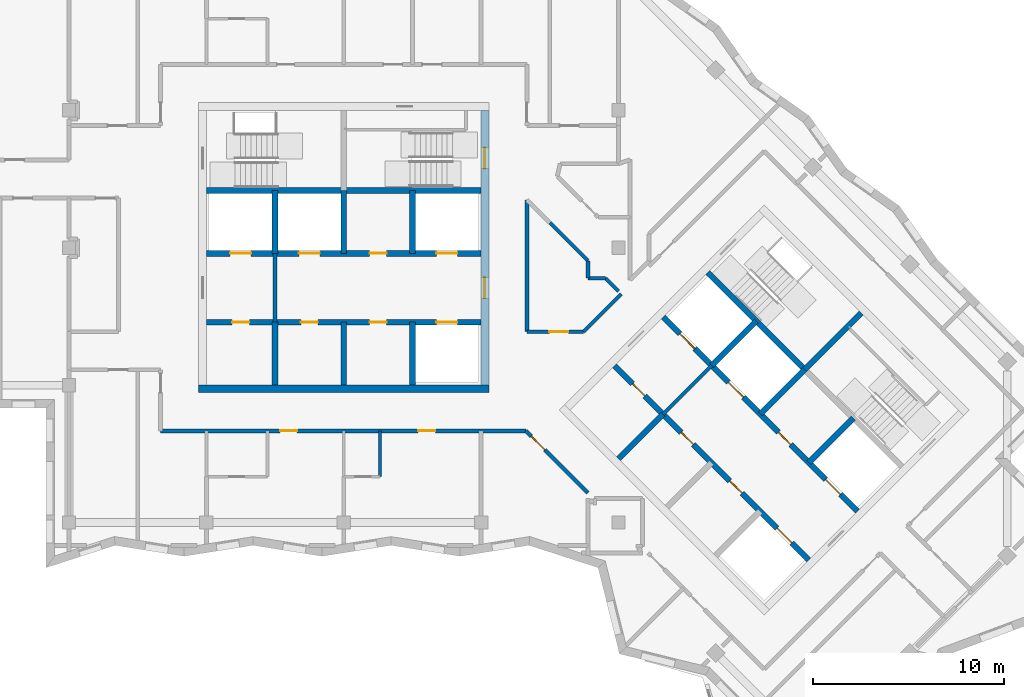
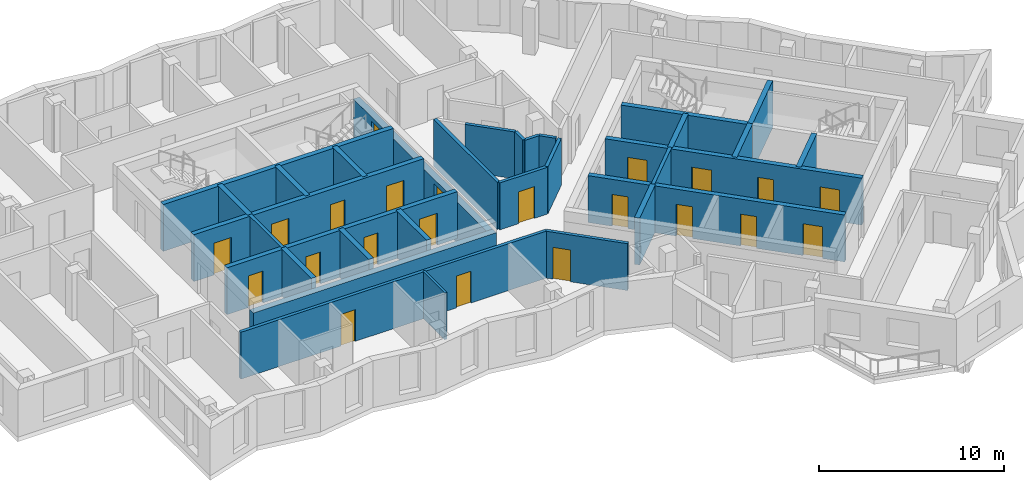
# One storey, part 4 of 12: 32 walls, 22 doors, 22 openings.
"""IFC4 building model written with IfcOpenShell, lengths in metres."""

from ifc_helpers import new_model, si_unit, direction, frame, frame_2d, origin, place, context, subcontext, project, spatial, rectangle, extrude, material, layer, layer_set, type_object, element, fill, save


model = new_model("IFC4")

# Units and contexts
model_context = context("Model", 3, precision=1e-05, world=origin(), true_north=direction((0.0, 1.0)))
body_context = subcontext(model_context, "Body", "Model", "MODEL_VIEW")
ifc_project = project(units=[si_unit("LENGTHUNIT", "METRE"), si_unit("AREAUNIT", "SQUARE_METRE"), si_unit("VOLUMEUNIT", "CUBIC_METRE"), si_unit("PLANEANGLEUNIT", "RADIAN"), si_unit("MASSUNIT", "GRAM", prefix="KILO")], contexts=[model_context])

# Site, building, storey
site_placement = place(None, origin())
site = spatial("IfcSite", under=ifc_project, at=site_placement, CompositionType="ELEMENT")
building_placement = place(site_placement, origin())
building = spatial("IfcBuilding", under=site, at=building_placement, Name="Windrow Commons", CompositionType="ELEMENT")
storey_placement = place(building_placement, frame((0.0, 0.0, 274.4)))
storey = spatial("IfcBuildingStorey", under=building, at=storey_placement, Name="L75", CompositionType="ELEMENT", Elevation=274.4)

# Walls
ifc_material_1 = material(Name="Blockwork partition", Category="masonry")
ifc_layer_1 = layer(ifc_material_1, 0.2)
ifc_layer_set_1 = layer_set([ifc_layer_1], Name="Fire lobby partition 200")
wall_type_1 = type_object("IfcWallType", Name="Fire lobby partition 200", PredefinedType="PARTITIONING", material=ifc_layer_set_1)
for number, where, z_axis, x_axis, name in (
    (1, (61.2, 53.7, 0.0), (0.0, 0.0, 1.0), (0.0, 1.0, 0.0), "W-core-lobby-A-L75"),
    (2, (81.5335, 48.8776, 0.0), (0.0, 0.0, 1.0), (0.707092892, 0.7071206701, 0.0), "W-core-lobby-B-L75"),
):
    element("IfcWall", number, at=place(storey_placement, frame(where, z_axis=z_axis, x_axis=x_axis)), inside=storey, type_object=wall_type_1, Name=name, PredefinedType="PARTITIONING", context=body_context, shape_type="SweptSolid", body=[
        extrude(rectangle(XDim=3.6, YDim=0.2, at=frame_2d((1.8, 0.0))), origin(), (0.0, 0.0, 1.0), 3.1),
    ])

# Wall, openings, doors
ifc_material_2 = material(Name="Blockwork partition", Category="masonry")
ifc_layer_2 = layer(ifc_material_2, 0.2)
ifc_layer_set_2 = layer_set([ifc_layer_2], Name="IW-CORRIDOR-200")
wall_type_2 = type_object("IfcWallType", Name="IW-CORRIDOR-200", PredefinedType="PARTITIONING", material=ifc_layer_set_2)
wall_1_placement = place(storey_placement, frame((55.2, 48.0, 0.0), z_axis=(0.0, 0.0, 1.0), x_axis=(1.0, 0.0, 0.0)))
wall_1 = element("IfcWall", 3, at=wall_1_placement, inside=storey, type_object=wall_type_2, Name="W-L75-W001", PredefinedType="PARTITIONING", context=body_context, shape_type="SweptSolid", body=[
    extrude(rectangle(XDim=19.15, YDim=0.2, at=frame_2d((9.575, 0.0))), origin(), (0.0, 0.0, 1.0), 3.1),
])
opening_1_placement = place(wall_1_placement, frame((6.2607, 0.0, 0.0)))
opening_1 = element("IfcOpeningElement", 4, at=opening_1_placement, cuts=wall_1, Name="Opening D109F", PredefinedType="OPENING", context=body_context, shape_type="SweptSolid", body=[
    extrude(rectangle(XDim=0.9, YDim=2.1, at=frame_2d((0.45, 1.05))), frame((0.0, 0.11, 0.0), z_axis=(0.0, -1.0, 0.0), x_axis=(1.0, 0.0, 0.0)), (0.0, 0.0, 1.0), 0.22),
])
opening_2_placement = place(wall_1_placement, frame((13.4994, 0.0, 0.0)))
opening_2 = element("IfcOpeningElement", 5, at=opening_2_placement, cuts=wall_1, Name="Opening D109F", PredefinedType="OPENING", context=body_context, shape_type="SweptSolid", body=[
    extrude(rectangle(XDim=0.9, YDim=2.1, at=frame_2d((0.45, 1.05))), frame((0.0, 0.11, 0.0), z_axis=(0.0, -1.0, 0.0), x_axis=(1.0, 0.0, 0.0)), (0.0, 0.0, 1.0), 0.22),
])
ifc_material_3 = material(Name="Timber door leaf", Category="wood")
door_type_1 = type_object("IfcDoorType", Name="DT-BEDROOM-900", OperationType="SINGLE_SWING_LEFT", PredefinedType="DOOR", material=ifc_material_3)
door_1_placement = place(opening_1_placement, origin())
door_1 = element("IfcDoor", 6, at=door_1_placement, inside=storey, type_object=door_type_1, Name="D-L75-D023", OperationType="SINGLE_SWING_LEFT", OverallHeight=2.1, OverallWidth=0.9, PredefinedType="DOOR", context=body_context, shape_type="SweptSolid", body=[
    extrude(rectangle(XDim=0.9, YDim=2.1, at=frame_2d((0.45, 1.05))), frame((0.0, 0.025, 0.0), z_axis=(0.0, -1.0, 0.0), x_axis=(1.0, 0.0, 0.0)), (0.0, 0.0, 1.0), 0.05),
])
fill(opening_1, door_1)
door_2_placement = place(opening_2_placement, origin())
door_2 = element("IfcDoor", 7, at=door_2_placement, inside=storey, type_object=door_type_1, Name="D-L75-D025", OperationType="SINGLE_SWING_LEFT", OverallHeight=2.1, OverallWidth=0.9, PredefinedType="DOOR", context=body_context, shape_type="SweptSolid", body=[
    extrude(rectangle(XDim=0.9, YDim=2.1, at=frame_2d((0.45, 1.05))), frame((0.0, 0.025, 0.0), z_axis=(0.0, -1.0, 0.0), x_axis=(1.0, 0.0, 0.0)), (0.0, 0.0, 1.0), 0.05),
])
fill(opening_2, door_2)

# Wall
wall_2_placement = place(storey_placement, frame((74.4, 53.202, 0.0), z_axis=(0.0, 0.0, 1.0), x_axis=(0.0, 1.0, 0.0)))
element("IfcWall", 8, at=wall_2_placement, inside=storey, type_object=wall_type_2, Name="W-L75-W017", PredefinedType="PARTITIONING", context=body_context, shape_type="SweptSolid", body=[
    extrude(rectangle(XDim=6.908, YDim=0.2, at=frame_2d((3.454, 0.0))), origin(), (0.0, 0.0, 1.0), 3.1),
])

# Wall, opening, door
wall_3_placement = place(storey_placement, frame((74.3468, 47.9968, 0.0), z_axis=(0.0, 0.0, 1.0), x_axis=(0.7071067812, -0.7071067812, 0.0)))
wall_3 = element("IfcWall", 9, at=wall_3_placement, inside=storey, type_object=wall_type_2, Name="W-L75-W038", PredefinedType="PARTITIONING", context=body_context, shape_type="SweptSolid", body=[
    extrude(rectangle(XDim=4.5962, YDim=0.2, at=frame_2d((2.2981, 0.0))), origin(), (0.0, 0.0, 1.0), 3.1),
])
opening_3_placement = place(wall_3_placement, frame((0.4007, 0.0, 0.0)))
opening_3 = element("IfcOpeningElement", 10, at=opening_3_placement, cuts=wall_3, Name="Opening D310F", PredefinedType="OPENING", context=body_context, shape_type="SweptSolid", body=[
    extrude(rectangle(XDim=1.0, YDim=2.1, at=frame_2d((0.5, 1.05))), frame((0.0, 0.11, 0.0), z_axis=(0.0, -1.0, 0.0), x_axis=(1.0, 0.0, 0.0)), (0.0, 0.0, 1.0), 0.22),
])
ifc_material_4 = material(Name="Timber door leaf", Category="wood")
door_type_2 = type_object("IfcDoorType", Name="DT-AMENITY-1000", OperationType="SINGLE_SWING_LEFT", PredefinedType="DOOR", material=ifc_material_4)
door_3_placement = place(opening_3_placement, origin())
door_3 = element("IfcDoor", 11, at=door_3_placement, inside=storey, type_object=door_type_2, Name="D-L75-D027", OperationType="SINGLE_SWING_LEFT", OverallHeight=2.1, OverallWidth=1.0, PredefinedType="DOOR", context=body_context, shape_type="SweptSolid", body=[
    extrude(rectangle(XDim=1.0, YDim=2.1, at=frame_2d((0.5, 1.05))), frame((0.0, 0.025, 0.0), z_axis=(0.0, -1.0, 0.0), x_axis=(1.0, 0.0, 0.0)), (0.0, 0.0, 1.0), 0.05),
])
fill(opening_3, door_3)

wall_4_placement = place(storey_placement, frame((74.402, 53.2, 0.0), z_axis=(0.0, 0.0, 1.0), x_axis=(1.0, 0.0, 0.0)))
wall_4 = element("IfcWall", 12, at=wall_4_placement, inside=storey, type_object=wall_type_2, Name="W-L75-W061", PredefinedType="PARTITIONING", context=body_context, shape_type="SweptSolid", body=[
    extrude(rectangle(XDim=2.968, YDim=0.2, at=frame_2d((1.484, 0.0))), origin(), (0.0, 0.0, 1.0), 3.1),
])
opening_4_placement = place(wall_4_placement, frame((1.175, 0.0, 0.0)))
opening_4 = element("IfcOpeningElement", 13, at=opening_4_placement, cuts=wall_4, Name="Opening D310F", PredefinedType="OPENING", context=body_context, shape_type="SweptSolid", body=[
    extrude(rectangle(XDim=1.0, YDim=2.1, at=frame_2d((0.5, 1.05))), frame((0.0, 0.11, 0.0), z_axis=(0.0, -1.0, 0.0), x_axis=(1.0, 0.0, 0.0)), (0.0, 0.0, 1.0), 0.22),
])
door_4_placement = place(opening_4_placement, origin())
door_4 = element("IfcDoor", 14, at=door_4_placement, inside=storey, type_object=door_type_2, Name="D-L75-D001", OperationType="SINGLE_SWING_LEFT", OverallHeight=2.1, OverallWidth=1.0, PredefinedType="DOOR", context=body_context, shape_type="SweptSolid", body=[
    extrude(rectangle(XDim=1.0, YDim=2.1, at=frame_2d((0.5, 1.05))), frame((0.0, 0.025, 0.0), z_axis=(0.0, -1.0, 0.0), x_axis=(1.0, 0.0, 0.0)), (0.0, 0.0, 1.0), 0.05),
])
fill(opening_4, door_4)

# Walls
wall_5_placement = place(storey_placement, frame((75.6011, 58.9131, 0.0), z_axis=(0.0, 0.0, 1.0), x_axis=(0.707460777, -0.7067526081, 0.0)))
element("IfcWall", 15, at=wall_5_placement, inside=storey, type_object=wall_type_2, Name="W-L75-W063", PredefinedType="PARTITIONING", context=body_context, shape_type="SweptSolid", body=[
    extrude(rectangle(XDim=2.8242, YDim=0.2, at=frame_2d((1.4121, 0.0))), origin(), (0.0, 0.0, 1.0), 3.1),
])
wall_6_placement = place(storey_placement, frame((77.3695, 53.2005, 0.0), z_axis=(0.0, 0.0, 1.0), x_axis=(0.7071067812, 0.7071067812, 0.0)))
element("IfcWall", 16, at=wall_6_placement, inside=storey, type_object=wall_type_2, Name="W-L75-W064", PredefinedType="PARTITIONING", context=body_context, shape_type="SweptSolid", body=[
    extrude(rectangle(XDim=2.786, YDim=0.2, at=frame_2d((1.393, 0.0))), origin(), (0.0, 0.0, 1.0), 3.1),
])
wall_7_placement = place(storey_placement, frame((78.5168, 55.9988, 0.0), z_axis=(0.0, 0.0, 1.0), x_axis=(0.7060737561, -0.7081382993, 0.0)))
element("IfcWall", 17, at=wall_7_placement, inside=storey, type_object=wall_type_2, Name="W-L75-W107", PredefinedType="PARTITIONING", context=body_context, shape_type="SweptSolid", body=[
    extrude(rectangle(XDim=0.9687, YDim=0.2, at=frame_2d((0.4844, 0.0))), origin(), (0.0, 0.0, 1.0), 3.1),
])
for number, where, z_axis, x_axis, name in (
    (18, (77.6, 56.002, 0.0), (0.0, 0.0, 1.0), (0.0, 1.0, 0.0), "W-L75-W115"),
    (19, (77.602, 56.0, 0.0), (0.0, 0.0, 1.0), (1.0, 0.0, 0.0), "W-L75-W116"),
):
    element("IfcWall", number, at=place(storey_placement, frame(where, z_axis=z_axis, x_axis=x_axis)), inside=storey, type_object=wall_type_2, Name=name, PredefinedType="PARTITIONING", context=body_context, shape_type="SweptSolid", body=[
        extrude(rectangle(XDim=0.906, YDim=0.2, at=frame_2d((0.453, 0.0))), origin(), (0.0, 0.0, 1.0), 3.1),
    ])
ifc_material_5 = material(Name="Blockwork partition", Category="masonry")
ifc_layer_3 = layer(ifc_material_5, 0.15)
ifc_layer_set_3 = layer_set([ifc_layer_3], Name="IW-ENSUITE-150")
wall_type_3 = type_object("IfcWallType", Name="IW-ENSUITE-150", PredefinedType="PARTITIONING", material=ifc_layer_set_3)
wall_8_placement = place(storey_placement, frame((66.7, 45.6, 0.0), z_axis=(0.0, 0.0, 1.0), x_axis=(0.0, 1.0, 0.0)))
element("IfcWall", 20, at=wall_8_placement, inside=storey, type_object=wall_type_3, Name="W-L75-W074", PredefinedType="PARTITIONING", context=body_context, shape_type="SweptSolid", body=[
    extrude(rectangle(XDim=2.4, YDim=0.15, at=frame_2d((1.2, 0.0))), origin(), (0.0, 0.0, 1.0), 3.1),
])
ifc_material_6 = material(Name="Concrete C40/50", Category="concrete")
ifc_layer_4 = layer(ifc_material_6, 0.4)
ifc_layer_set_4 = layer_set([ifc_layer_4], Name="RC CORE WALL 400 C40/50")
wall_type_4 = type_object("IfcWallType", Name="RC CORE WALL 400 C40/50", PredefinedType="SHEAR", material=ifc_layer_set_4)
wall_9_placement = place(storey_placement, frame((57.2, 50.2, -0.3), z_axis=(0.0, 0.0, 1.0), x_axis=(1.0, 0.0, 0.0)))
element("IfcWall", 21, at=wall_9_placement, inside=storey, type_object=wall_type_4, Name="Core A wall outer-S", PredefinedType="SHEAR", context=body_context, shape_type="SweptSolid", body=[
    extrude(rectangle(XDim=15.2, YDim=0.4, at=frame_2d((7.6, 0.0))), origin(), (0.0, 0.0, 1.0), 2.7),
])

# Wall, openings, doors
wall_10_placement = place(storey_placement, frame((72.2, 50.4, -0.3), z_axis=(0.0, 0.0, 1.0), x_axis=(0.0, 1.0, 0.0)))
wall_10 = element("IfcWall", 22, at=wall_10_placement, inside=storey, type_object=wall_type_4, Name="Core A wall outer-E", PredefinedType="SHEAR", context=body_context, shape_type="SweptSolid", body=[
    extrude(rectangle(XDim=14.4, YDim=0.4, at=frame_2d((7.2, 0.0))), origin(), (0.0, 0.0, 1.0), 2.7),
])
opening_5_placement = place(wall_10_placement, frame((4.55, 0.0, 0.3)))
opening_5 = element("IfcOpeningElement", 23, at=opening_5_placement, cuts=wall_10, Name="Opening D6", PredefinedType="OPENING", context=body_context, shape_type="SweptSolid", body=[
    extrude(rectangle(XDim=1.1, YDim=2.1, at=frame_2d((0.55, 1.05))), frame((0.0, 0.21, 0.0), z_axis=(0.0, -1.0, 0.0), x_axis=(1.0, 0.0, 0.0)), (0.0, 0.0, 1.0), 0.42),
])
opening_6_placement = place(wall_10_placement, frame((11.35, 0.0, 0.3)))
opening_6 = element("IfcOpeningElement", 24, at=opening_6_placement, cuts=wall_10, Name="Opening D7", PredefinedType="OPENING", context=body_context, shape_type="SweptSolid", body=[
    extrude(rectangle(XDim=1.1, YDim=2.1, at=frame_2d((0.55, 1.05))), frame((0.0, 0.21, 0.0), z_axis=(0.0, -1.0, 0.0), x_axis=(1.0, 0.0, 0.0)), (0.0, 0.0, 1.0), 0.42),
])
ifc_material_7 = material(Name="Steel fire door leaf", Category="steel")
door_type_3 = type_object("IfcDoorType", Name="Core lobby door 1100", OperationType="SINGLE_SWING_LEFT", PredefinedType="DOOR", material=ifc_material_7)
door_5_placement = place(opening_5_placement, origin())
door_5 = element("IfcDoor", 25, at=door_5_placement, inside=storey, type_object=door_type_3, Name="Lift lobby door", OperationType="DOUBLE_DOOR_SINGLE_SWING", OverallHeight=2.1, OverallWidth=1.1, PredefinedType="DOOR", context=body_context, shape_type="SweptSolid", body=[
    extrude(rectangle(XDim=1.1, YDim=2.1, at=frame_2d((0.55, 1.05))), frame((0.0, 0.025, 0.0), z_axis=(0.0, -1.0, 0.0), x_axis=(1.0, 0.0, 0.0)), (0.0, 0.0, 1.0), 0.05),
])
fill(opening_5, door_5)
ifc_material_8 = material(Name="Steel fire door leaf", Category="steel")
door_type_4 = type_object("IfcDoorType", Name="Stair door 1100", OperationType="SINGLE_SWING_LEFT", PredefinedType="DOOR", material=ifc_material_8)
door_6_placement = place(opening_6_placement, origin())
door_6 = element("IfcDoor", 26, at=door_6_placement, inside=storey, type_object=door_type_4, Name="Stair door", OperationType="SINGLE_SWING_RIGHT", OverallHeight=2.1, OverallWidth=1.1, PredefinedType="DOOR", context=body_context, shape_type="SweptSolid", body=[
    extrude(rectangle(XDim=1.1, YDim=2.1, at=frame_2d((0.55, 1.05))), frame((0.0, 0.025, 0.0), z_axis=(0.0, -1.0, 0.0), x_axis=(1.0, 0.0, 0.0)), (0.0, 0.0, 1.0), 0.05),
])
fill(opening_6, door_6)

# Walls
ifc_material_9 = material(Name="Concrete C40/50", Category="concrete")
ifc_layer_5 = layer(ifc_material_9, 0.3)
ifc_layer_set_5 = layer_set([ifc_layer_5], Name="RC SHAFT WALL 300 C40/50")
wall_type_5 = type_object("IfcWallType", Name="RC SHAFT WALL 300 C40/50", PredefinedType="SOLIDWALL", material=ifc_layer_set_5)
for number, where, z_axis, x_axis, name in (
    (27, (61.2, 50.4, 0.0), (0.0, 0.0, 1.0), (0.0, 1.0, 0.0), "Core A wall shaft-S1"),
    (28, (61.2, 57.3, 0.0), (0.0, 0.0, 1.0), (0.0, 1.0, 0.0), "Core A wall shaft-N1"),
    (29, (64.8, 50.4, 0.0), (0.0, 0.0, 1.0), (0.0, 1.0, 0.0), "Core A wall shaft-S2"),
    (30, (64.8, 57.3, 0.0), (0.0, 0.0, 1.0), (0.0, 1.0, 0.0), "Core A wall shaft-N2"),
    (31, (68.4, 50.4, 0.0), (0.0, 0.0, 1.0), (0.0, 1.0, 0.0), "Core A wall shaft-S3"),
    (32, (68.4, 57.3, 0.0), (0.0, 0.0, 1.0), (0.0, 1.0, 0.0), "Core A wall shaft-N3"),
):
    element("IfcWall", number, at=place(storey_placement, frame(where, z_axis=z_axis, x_axis=x_axis)), inside=storey, type_object=wall_type_5, Name=name, PredefinedType="SOLIDWALL", context=body_context, shape_type="SweptSolid", body=[
        extrude(rectangle(XDim=3.3, YDim=0.3, at=frame_2d((1.65, 0.0))), origin(), (0.0, 0.0, 1.0), 3.1),
    ])

# Wall, openings, doors
wall_11_placement = place(storey_placement, frame((57.6, 53.7, 0.0), z_axis=(0.0, 0.0, 1.0), x_axis=(1.0, 0.0, 0.0)))
wall_11 = element("IfcWall", 33, at=wall_11_placement, inside=storey, type_object=wall_type_5, Name="Core A wall lobby-S", PredefinedType="SOLIDWALL", context=body_context, shape_type="SweptSolid", body=[
    extrude(rectangle(XDim=14.4, YDim=0.3, at=frame_2d((7.2, 0.0))), origin(), (0.0, 0.0, 1.0), 3.1),
])
opening_7_placement = place(wall_11_placement, frame((1.35, 0.0, 0.0)))
opening_7 = element("IfcOpeningElement", 34, at=opening_7_placement, cuts=wall_11, Name="Opening D8", PredefinedType="OPENING", context=body_context, shape_type="SweptSolid", body=[
    extrude(rectangle(XDim=0.9, YDim=2.1, at=frame_2d((0.45, 1.05))), frame((0.0, 0.16, 0.0), z_axis=(0.0, -1.0, 0.0), x_axis=(1.0, 0.0, 0.0)), (0.0, 0.0, 1.0), 0.32),
])
opening_8_placement = place(wall_11_placement, frame((4.95, 0.0, 0.0)))
opening_8 = element("IfcOpeningElement", 35, at=opening_8_placement, cuts=wall_11, Name="Opening D8", PredefinedType="OPENING", context=body_context, shape_type="SweptSolid", body=[
    extrude(rectangle(XDim=0.9, YDim=2.1, at=frame_2d((0.45, 1.05))), frame((0.0, 0.16, 0.0), z_axis=(0.0, -1.0, 0.0), x_axis=(1.0, 0.0, 0.0)), (0.0, 0.0, 1.0), 0.32),
])
opening_9_placement = place(wall_11_placement, frame((8.55, 0.0, 0.0)))
opening_9 = element("IfcOpeningElement", 36, at=opening_9_placement, cuts=wall_11, Name="Opening D8", PredefinedType="OPENING", context=body_context, shape_type="SweptSolid", body=[
    extrude(rectangle(XDim=0.9, YDim=2.1, at=frame_2d((0.45, 1.05))), frame((0.0, 0.16, 0.0), z_axis=(0.0, -1.0, 0.0), x_axis=(1.0, 0.0, 0.0)), (0.0, 0.0, 1.0), 0.32),
])
opening_10_placement = place(wall_11_placement, frame((12.05, 0.0, 0.0)))
opening_10 = element("IfcOpeningElement", 37, at=opening_10_placement, cuts=wall_11, Name="Opening LD", PredefinedType="OPENING", context=body_context, shape_type="SweptSolid", body=[
    extrude(rectangle(XDim=1.1, YDim=2.1, at=frame_2d((0.55, 1.05))), frame((0.0, 0.16, 0.0), z_axis=(0.0, -1.0, 0.0), x_axis=(1.0, 0.0, 0.0)), (0.0, 0.0, 1.0), 0.32),
])
ifc_material_10 = material(Name="Steel fire door leaf", Category="steel")
door_type_5 = type_object("IfcDoorType", Name="Core store door 900", OperationType="SINGLE_SWING_LEFT", PredefinedType="DOOR", material=ifc_material_10)
door_7_placement = place(opening_7_placement, origin())
door_7 = element("IfcDoor", 38, at=door_7_placement, inside=storey, type_object=door_type_5, Name="Store door", OperationType="SINGLE_SWING_LEFT", OverallHeight=2.1, OverallWidth=0.9, PredefinedType="DOOR", context=body_context, shape_type="SweptSolid", body=[
    extrude(rectangle(XDim=0.9, YDim=2.1, at=frame_2d((0.45, 1.05))), frame((0.0, 0.025, 0.0), z_axis=(0.0, -1.0, 0.0), x_axis=(1.0, 0.0, 0.0)), (0.0, 0.0, 1.0), 0.05),
])
fill(opening_7, door_7)
door_8_placement = place(opening_8_placement, origin())
door_8 = element("IfcDoor", 39, at=door_8_placement, inside=storey, type_object=door_type_5, Name="Store door", OperationType="SINGLE_SWING_LEFT", OverallHeight=2.1, OverallWidth=0.9, PredefinedType="DOOR", context=body_context, shape_type="SweptSolid", body=[
    extrude(rectangle(XDim=0.9, YDim=2.1, at=frame_2d((0.45, 1.05))), frame((0.0, 0.025, 0.0), z_axis=(0.0, -1.0, 0.0), x_axis=(1.0, 0.0, 0.0)), (0.0, 0.0, 1.0), 0.05),
])
fill(opening_8, door_8)
door_9_placement = place(opening_9_placement, origin())
door_9 = element("IfcDoor", 40, at=door_9_placement, inside=storey, type_object=door_type_5, Name="Store door", OperationType="SINGLE_SWING_LEFT", OverallHeight=2.1, OverallWidth=0.9, PredefinedType="DOOR", context=body_context, shape_type="SweptSolid", body=[
    extrude(rectangle(XDim=0.9, YDim=2.1, at=frame_2d((0.45, 1.05))), frame((0.0, 0.025, 0.0), z_axis=(0.0, -1.0, 0.0), x_axis=(1.0, 0.0, 0.0)), (0.0, 0.0, 1.0), 0.05),
])
fill(opening_9, door_9)
ifc_material_11 = material(Name="Stainless steel door leaf", Category="steel")
door_type_6 = type_object("IfcDoorType", Name="Lift landing door 1100", OperationType="SLIDING_TO_LEFT", PredefinedType="DOOR", material=ifc_material_11)
door_10_placement = place(opening_10_placement, origin())
door_10 = element("IfcDoor", 41, at=door_10_placement, inside=storey, type_object=door_type_6, Name="Lift landing door", OperationType="SLIDING_TO_RIGHT", OverallHeight=2.1, OverallWidth=1.1, PredefinedType="DOOR", context=body_context, shape_type="SweptSolid", body=[
    extrude(rectangle(XDim=1.1, YDim=2.1, at=frame_2d((0.55, 1.05))), frame((0.0, 0.025, 0.0), z_axis=(0.0, -1.0, 0.0), x_axis=(1.0, 0.0, 0.0)), (0.0, 0.0, 1.0), 0.05),
])
fill(opening_10, door_10)

wall_12_placement = place(storey_placement, frame((57.6, 57.3, 0.0), z_axis=(0.0, 0.0, 1.0), x_axis=(1.0, 0.0, 0.0)))
wall_12 = element("IfcWall", 42, at=wall_12_placement, inside=storey, type_object=wall_type_5, Name="Core A wall lobby-N", PredefinedType="SOLIDWALL", context=body_context, shape_type="SweptSolid", body=[
    extrude(rectangle(XDim=14.4, YDim=0.3, at=frame_2d((7.2, 0.0))), origin(), (0.0, 0.0, 1.0), 3.1),
])
opening_11_placement = place(wall_12_placement, frame((8.55, 0.0, 0.0)))
opening_11 = element("IfcOpeningElement", 43, at=opening_11_placement, cuts=wall_12, Name="Opening D8", PredefinedType="OPENING", context=body_context, shape_type="SweptSolid", body=[
    extrude(rectangle(XDim=0.9, YDim=2.1, at=frame_2d((0.45, 1.05))), frame((0.0, 0.16, 0.0), z_axis=(0.0, -1.0, 0.0), x_axis=(1.0, 0.0, 0.0)), (0.0, 0.0, 1.0), 0.32),
])
opening_12_placement = place(wall_12_placement, frame((1.25, 0.0, 0.0)))
opening_12 = element("IfcOpeningElement", 44, at=opening_12_placement, cuts=wall_12, Name="Opening LD", PredefinedType="OPENING", context=body_context, shape_type="SweptSolid", body=[
    extrude(rectangle(XDim=1.1, YDim=2.1, at=frame_2d((0.55, 1.05))), frame((0.0, 0.16, 0.0), z_axis=(0.0, -1.0, 0.0), x_axis=(1.0, 0.0, 0.0)), (0.0, 0.0, 1.0), 0.32),
])
opening_13_placement = place(wall_12_placement, frame((4.85, 0.0, 0.0)))
opening_13 = element("IfcOpeningElement", 45, at=opening_13_placement, cuts=wall_12, Name="Opening LD", PredefinedType="OPENING", context=body_context, shape_type="SweptSolid", body=[
    extrude(rectangle(XDim=1.1, YDim=2.1, at=frame_2d((0.55, 1.05))), frame((0.0, 0.16, 0.0), z_axis=(0.0, -1.0, 0.0), x_axis=(1.0, 0.0, 0.0)), (0.0, 0.0, 1.0), 0.32),
])
opening_14_placement = place(wall_12_placement, frame((12.05, 0.0, 0.0)))
opening_14 = element("IfcOpeningElement", 46, at=opening_14_placement, cuts=wall_12, Name="Opening LD", PredefinedType="OPENING", context=body_context, shape_type="SweptSolid", body=[
    extrude(rectangle(XDim=1.1, YDim=2.1, at=frame_2d((0.55, 1.05))), frame((0.0, 0.16, 0.0), z_axis=(0.0, -1.0, 0.0), x_axis=(1.0, 0.0, 0.0)), (0.0, 0.0, 1.0), 0.32),
])
door_11_placement = place(opening_11_placement, origin())
door_11 = element("IfcDoor", 47, at=door_11_placement, inside=storey, type_object=door_type_5, Name="Store door", OperationType="SINGLE_SWING_LEFT", OverallHeight=2.1, OverallWidth=0.9, PredefinedType="DOOR", context=body_context, shape_type="SweptSolid", body=[
    extrude(rectangle(XDim=0.9, YDim=2.1, at=frame_2d((0.45, 1.05))), frame((0.0, 0.025, 0.0), z_axis=(0.0, -1.0, 0.0), x_axis=(1.0, 0.0, 0.0)), (0.0, 0.0, 1.0), 0.05),
])
fill(opening_11, door_11)
door_12_placement = place(opening_12_placement, origin())
door_12 = element("IfcDoor", 48, at=door_12_placement, inside=storey, type_object=door_type_6, Name="Lift landing door", OperationType="SLIDING_TO_LEFT", OverallHeight=2.1, OverallWidth=1.1, PredefinedType="DOOR", context=body_context, shape_type="SweptSolid", body=[
    extrude(rectangle(XDim=1.1, YDim=2.1, at=frame_2d((0.55, 1.05))), frame((0.0, 0.025, 0.0), z_axis=(0.0, -1.0, 0.0), x_axis=(1.0, 0.0, 0.0)), (0.0, 0.0, 1.0), 0.05),
])
fill(opening_12, door_12)
door_13_placement = place(opening_13_placement, origin())
door_13 = element("IfcDoor", 49, at=door_13_placement, inside=storey, type_object=door_type_6, Name="Lift landing door", OperationType="SLIDING_TO_RIGHT", OverallHeight=2.1, OverallWidth=1.1, PredefinedType="DOOR", context=body_context, shape_type="SweptSolid", body=[
    extrude(rectangle(XDim=1.1, YDim=2.1, at=frame_2d((0.55, 1.05))), frame((0.0, 0.025, 0.0), z_axis=(0.0, -1.0, 0.0), x_axis=(1.0, 0.0, 0.0)), (0.0, 0.0, 1.0), 0.05),
])
fill(opening_13, door_13)
door_14_placement = place(opening_14_placement, origin())
door_14 = element("IfcDoor", 50, at=door_14_placement, inside=storey, type_object=door_type_6, Name="Lift landing door", OperationType="SLIDING_TO_RIGHT", OverallHeight=2.1, OverallWidth=1.1, PredefinedType="DOOR", context=body_context, shape_type="SweptSolid", body=[
    extrude(rectangle(XDim=1.1, YDim=2.1, at=frame_2d((0.55, 1.05))), frame((0.0, 0.025, 0.0), z_axis=(0.0, -1.0, 0.0), x_axis=(1.0, 0.0, 0.0)), (0.0, 0.0, 1.0), 0.05),
])
fill(opening_14, door_14)

# Walls
for number, where, z_axis, x_axis, name in (
    (51, (57.6, 60.6, 0.0), (0.0, 0.0, 1.0), (1.0, 0.0, 0.0), "Core A wall stair-S"),
    (52, (64.8, 60.6, 0.0), (0.0, 0.0, 1.0), (1.0, 0.0, 0.0), "Core A wall stair-S2"),
):
    element("IfcWall", number, at=place(storey_placement, frame(where, z_axis=z_axis, x_axis=x_axis)), inside=storey, type_object=wall_type_5, Name=name, PredefinedType="SOLIDWALL", context=body_context, shape_type="SweptSolid", body=[
        extrude(rectangle(XDim=7.2, YDim=0.3, at=frame_2d((3.6, 0.0))), origin(), (0.0, 0.0, 1.0), 3.1),
    ])
for number, where, z_axis, x_axis, name in (
    (53, (79.2, 46.5442, 0.0), (0.0, 0.0, 1.0), (0.7071219326, 0.7070916295, 0.0), "Core B wall shaft-S1"),
    (54, (84.079, 51.4232, 0.0), (0.0, 0.0, 1.0), (0.7071219326, 0.7070916295, 0.0), "Core B wall shaft-N1"),
):
    element("IfcWall", number, at=place(storey_placement, frame(where, z_axis=z_axis, x_axis=x_axis)), inside=storey, type_object=wall_type_5, Name=name, PredefinedType="SOLIDWALL", context=body_context, shape_type="SweptSolid", body=[
        extrude(rectangle(XDim=3.3, YDim=0.3, at=frame_2d((1.65, 0.0))), origin(), (0.0, 0.0, 1.0), 3.1),
    ])
for number, where, z_axis, x_axis, name in (
    (55, (86.6246, 48.8776, 0.0), (0.0, 0.0, 1.0), (0.7071067812, 0.7071067812, 0.0), "Core B wall shaft-N2"),
    (56, (89.1702, 46.332, 0.0), (0.0, 0.0, 1.0), (0.7071067812, 0.7071067812, 0.0), "Core B wall shaft-N3"),
):
    element("IfcWall", number, at=place(storey_placement, frame(where, z_axis=z_axis, x_axis=x_axis)), inside=storey, type_object=wall_type_5, Name=name, PredefinedType="SOLIDWALL", context=body_context, shape_type="SweptSolid", body=[
        extrude(rectangle(XDim=3.3001, YDim=0.3, at=frame_2d((1.6501, 0.0))), origin(), (0.0, 0.0, 1.0), 3.1),
    ])

# Wall, openings, doors
wall_13_placement = place(storey_placement, frame((78.9879, 51.4232, 0.0), z_axis=(0.0, 0.0, 1.0), x_axis=(0.7071067812, -0.7071067812, 0.0)))
wall_13 = element("IfcWall", 57, at=wall_13_placement, inside=storey, type_object=wall_type_5, Name="Core B wall lobby-S", PredefinedType="SOLIDWALL", context=body_context, shape_type="SweptSolid", body=[
    extrude(rectangle(XDim=14.3999, YDim=0.3, at=frame_2d((7.2, 0.0))), origin(), (0.0, 0.0, 1.0), 3.1),
])
opening_15_placement = place(wall_13_placement, frame((1.35, 0.0, 0.0)))
opening_15 = element("IfcOpeningElement", 58, at=opening_15_placement, cuts=wall_13, Name="Opening D8", PredefinedType="OPENING", context=body_context, shape_type="SweptSolid", body=[
    extrude(rectangle(XDim=0.9, YDim=2.1, at=frame_2d((0.45, 1.05))), frame((0.0, 0.16, 0.0), z_axis=(0.0, -1.0, 0.0), x_axis=(1.0, 0.0, 0.0)), (0.0, 0.0, 1.0), 0.32),
])
opening_16_placement = place(wall_13_placement, frame((4.95, 0.0, 0.0)))
opening_16 = element("IfcOpeningElement", 59, at=opening_16_placement, cuts=wall_13, Name="Opening D8", PredefinedType="OPENING", context=body_context, shape_type="SweptSolid", body=[
    extrude(rectangle(XDim=0.9, YDim=2.1, at=frame_2d((0.45, 1.05))), frame((0.0, 0.16, 0.0), z_axis=(0.0, -1.0, 0.0), x_axis=(1.0, 0.0, 0.0)), (0.0, 0.0, 1.0), 0.32),
])
opening_17_placement = place(wall_13_placement, frame((8.55, 0.0, 0.0)))
opening_17 = element("IfcOpeningElement", 60, at=opening_17_placement, cuts=wall_13, Name="Opening D8", PredefinedType="OPENING", context=body_context, shape_type="SweptSolid", body=[
    extrude(rectangle(XDim=0.9, YDim=2.1, at=frame_2d((0.45, 1.05))), frame((0.0, 0.16, 0.0), z_axis=(0.0, -1.0, 0.0), x_axis=(1.0, 0.0, 0.0)), (0.0, 0.0, 1.0), 0.32),
])
opening_18_placement = place(wall_13_placement, frame((12.05, 0.0, 0.0)))
opening_18 = element("IfcOpeningElement", 61, at=opening_18_placement, cuts=wall_13, Name="Opening LD", PredefinedType="OPENING", context=body_context, shape_type="SweptSolid", body=[
    extrude(rectangle(XDim=1.1, YDim=2.1, at=frame_2d((0.55, 1.05))), frame((0.0, 0.16, 0.0), z_axis=(0.0, -1.0, 0.0), x_axis=(1.0, 0.0, 0.0)), (0.0, 0.0, 1.0), 0.32),
])
door_15_placement = place(opening_15_placement, origin())
door_15 = element("IfcDoor", 62, at=door_15_placement, inside=storey, type_object=door_type_5, Name="Store door", OperationType="SINGLE_SWING_LEFT", OverallHeight=2.1, OverallWidth=0.9, PredefinedType="DOOR", context=body_context, shape_type="SweptSolid", body=[
    extrude(rectangle(XDim=0.9, YDim=2.1, at=frame_2d((0.45, 1.05))), frame((0.0, 0.025, 0.0), z_axis=(0.0, -1.0, 0.0), x_axis=(1.0, 0.0, 0.0)), (0.0, 0.0, 1.0), 0.05),
])
fill(opening_15, door_15)
door_16_placement = place(opening_16_placement, origin())
door_16 = element("IfcDoor", 63, at=door_16_placement, inside=storey, type_object=door_type_5, Name="Store door", OperationType="SINGLE_SWING_LEFT", OverallHeight=2.1, OverallWidth=0.9, PredefinedType="DOOR", context=body_context, shape_type="SweptSolid", body=[
    extrude(rectangle(XDim=0.9, YDim=2.1, at=frame_2d((0.45, 1.05))), frame((0.0, 0.025, 0.0), z_axis=(0.0, -1.0, 0.0), x_axis=(1.0, 0.0, 0.0)), (0.0, 0.0, 1.0), 0.05),
])
fill(opening_16, door_16)
door_17_placement = place(opening_17_placement, origin())
door_17 = element("IfcDoor", 64, at=door_17_placement, inside=storey, type_object=door_type_5, Name="Store door", OperationType="SINGLE_SWING_LEFT", OverallHeight=2.1, OverallWidth=0.9, PredefinedType="DOOR", context=body_context, shape_type="SweptSolid", body=[
    extrude(rectangle(XDim=0.9, YDim=2.1, at=frame_2d((0.45, 1.05))), frame((0.0, 0.025, 0.0), z_axis=(0.0, -1.0, 0.0), x_axis=(1.0, 0.0, 0.0)), (0.0, 0.0, 1.0), 0.05),
])
fill(opening_17, door_17)
door_18_placement = place(opening_18_placement, origin())
door_18 = element("IfcDoor", 65, at=door_18_placement, inside=storey, type_object=door_type_6, Name="Lift landing door", OperationType="SLIDING_TO_RIGHT", OverallHeight=2.1, OverallWidth=1.1, PredefinedType="DOOR", context=body_context, shape_type="SweptSolid", body=[
    extrude(rectangle(XDim=1.1, YDim=2.1, at=frame_2d((0.55, 1.05))), frame((0.0, 0.025, 0.0), z_axis=(0.0, -1.0, 0.0), x_axis=(1.0, 0.0, 0.0)), (0.0, 0.0, 1.0), 0.05),
])
fill(opening_18, door_18)

wall_14_placement = place(storey_placement, frame((81.5335, 53.9688, 0.0), z_axis=(0.0, 0.0, 1.0), x_axis=(0.707103309, -0.7071102534, 0.0)))
wall_14 = element("IfcWall", 66, at=wall_14_placement, inside=storey, type_object=wall_type_5, Name="Core B wall lobby-N", PredefinedType="SOLIDWALL", context=body_context, shape_type="SweptSolid", body=[
    extrude(rectangle(XDim=14.4, YDim=0.3, at=frame_2d((7.2, 0.0))), origin(), (0.0, 0.0, 1.0), 3.1),
])
opening_19_placement = place(wall_14_placement, frame((8.55, 0.0, 0.0)))
opening_19 = element("IfcOpeningElement", 67, at=opening_19_placement, cuts=wall_14, Name="Opening D8", PredefinedType="OPENING", context=body_context, shape_type="SweptSolid", body=[
    extrude(rectangle(XDim=0.9, YDim=2.1, at=frame_2d((0.45, 1.05))), frame((0.0, 0.16, 0.0), z_axis=(0.0, -1.0, 0.0), x_axis=(1.0, 0.0, 0.0)), (0.0, 0.0, 1.0), 0.32),
])
opening_20_placement = place(wall_14_placement, frame((1.25, 0.0, 0.0)))
opening_20 = element("IfcOpeningElement", 68, at=opening_20_placement, cuts=wall_14, Name="Opening LD", PredefinedType="OPENING", context=body_context, shape_type="SweptSolid", body=[
    extrude(rectangle(XDim=1.1, YDim=2.1, at=frame_2d((0.55, 1.05))), frame((0.0, 0.16, 0.0), z_axis=(0.0, -1.0, 0.0), x_axis=(1.0, 0.0, 0.0)), (0.0, 0.0, 1.0), 0.32),
])
opening_21_placement = place(wall_14_placement, frame((4.85, 0.0, 0.0)))
opening_21 = element("IfcOpeningElement", 69, at=opening_21_placement, cuts=wall_14, Name="Opening LD", PredefinedType="OPENING", context=body_context, shape_type="SweptSolid", body=[
    extrude(rectangle(XDim=1.1, YDim=2.1, at=frame_2d((0.55, 1.05))), frame((0.0, 0.16, 0.0), z_axis=(0.0, -1.0, 0.0), x_axis=(1.0, 0.0, 0.0)), (0.0, 0.0, 1.0), 0.32),
])
opening_22_placement = place(wall_14_placement, frame((12.05, 0.0, 0.0)))
opening_22 = element("IfcOpeningElement", 70, at=opening_22_placement, cuts=wall_14, Name="Opening LD", PredefinedType="OPENING", context=body_context, shape_type="SweptSolid", body=[
    extrude(rectangle(XDim=1.1, YDim=2.1, at=frame_2d((0.55, 1.05))), frame((0.0, 0.16, 0.0), z_axis=(0.0, -1.0, 0.0), x_axis=(1.0, 0.0, 0.0)), (0.0, 0.0, 1.0), 0.32),
])
door_19_placement = place(opening_19_placement, origin())
door_19 = element("IfcDoor", 71, at=door_19_placement, inside=storey, type_object=door_type_5, Name="Store door", OperationType="SINGLE_SWING_LEFT", OverallHeight=2.1, OverallWidth=0.9, PredefinedType="DOOR", context=body_context, shape_type="SweptSolid", body=[
    extrude(rectangle(XDim=0.9, YDim=2.1, at=frame_2d((0.45, 1.05))), frame((0.0, 0.025, 0.0), z_axis=(0.0, -1.0, 0.0), x_axis=(1.0, 0.0, 0.0)), (0.0, 0.0, 1.0), 0.05),
])
fill(opening_19, door_19)
door_20_placement = place(opening_20_placement, origin())
door_20 = element("IfcDoor", 72, at=door_20_placement, inside=storey, type_object=door_type_6, Name="Lift landing door", OperationType="SLIDING_TO_LEFT", OverallHeight=2.1, OverallWidth=1.1, PredefinedType="DOOR", context=body_context, shape_type="SweptSolid", body=[
    extrude(rectangle(XDim=1.1, YDim=2.1, at=frame_2d((0.55, 1.05))), frame((0.0, 0.025, 0.0), z_axis=(0.0, -1.0, 0.0), x_axis=(1.0, 0.0, 0.0)), (0.0, 0.0, 1.0), 0.05),
])
fill(opening_20, door_20)
door_21_placement = place(opening_21_placement, origin())
door_21 = element("IfcDoor", 73, at=door_21_placement, inside=storey, type_object=door_type_6, Name="Lift landing door", OperationType="SLIDING_TO_RIGHT", OverallHeight=2.1, OverallWidth=1.1, PredefinedType="DOOR", context=body_context, shape_type="SweptSolid", body=[
    extrude(rectangle(XDim=1.1, YDim=2.1, at=frame_2d((0.55, 1.05))), frame((0.0, 0.025, 0.0), z_axis=(0.0, -1.0, 0.0), x_axis=(1.0, 0.0, 0.0)), (0.0, 0.0, 1.0), 0.05),
])
fill(opening_21, door_21)
door_22_placement = place(opening_22_placement, origin())
door_22 = element("IfcDoor", 74, at=door_22_placement, inside=storey, type_object=door_type_6, Name="Lift landing door", OperationType="SLIDING_TO_RIGHT", OverallHeight=2.1, OverallWidth=1.1, PredefinedType="DOOR", context=body_context, shape_type="SweptSolid", body=[
    extrude(rectangle(XDim=1.1, YDim=2.1, at=frame_2d((0.55, 1.05))), frame((0.0, 0.025, 0.0), z_axis=(0.0, -1.0, 0.0), x_axis=(1.0, 0.0, 0.0)), (0.0, 0.0, 1.0), 0.05),
])
fill(opening_22, door_22)

# Walls
wall_15_placement = place(storey_placement, frame((83.8669, 56.3022, 0.0), z_axis=(0.0, 0.0, 1.0), x_axis=(0.7071137256, -0.7070998367, 0.0)))
element("IfcWall", 75, at=wall_15_placement, inside=storey, type_object=wall_type_5, Name="Core B wall stair-S", PredefinedType="SOLIDWALL", context=body_context, shape_type="SweptSolid", body=[
    extrude(rectangle(XDim=7.2, YDim=0.3, at=frame_2d((3.6, 0.0))), origin(), (0.0, 0.0, 1.0), 3.1),
])
wall_16_placement = place(storey_placement, frame((88.9581, 51.2111, 0.0), z_axis=(0.0, 0.0, 1.0), x_axis=(0.7071067812, 0.7071067812, 0.0)))
element("IfcWall", 76, at=wall_16_placement, inside=storey, type_object=wall_type_5, Name="Core B wall stair-mid", PredefinedType="SOLIDWALL", context=body_context, shape_type="SweptSolid", body=[
    extrude(rectangle(XDim=4.1999, YDim=0.3, at=frame_2d((2.1, 0.0))), origin(), (0.0, 0.0, 1.0), 3.1),
])

save(model, "model.ifc")
